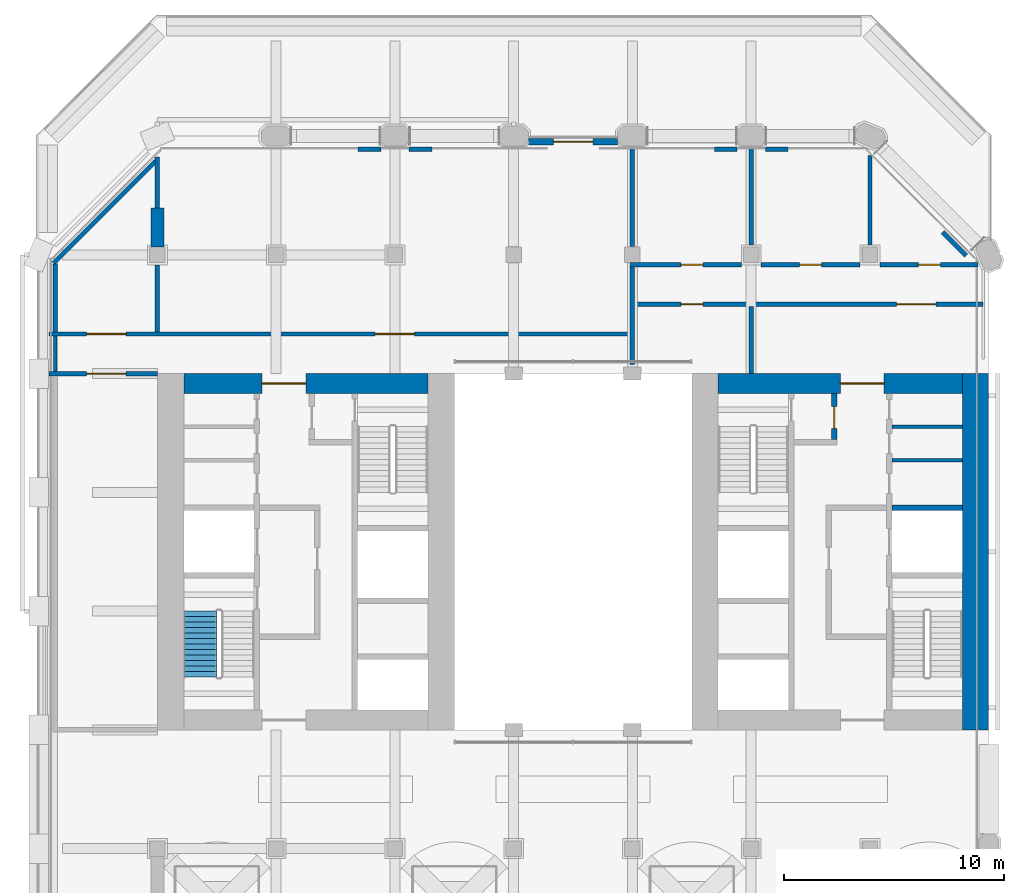
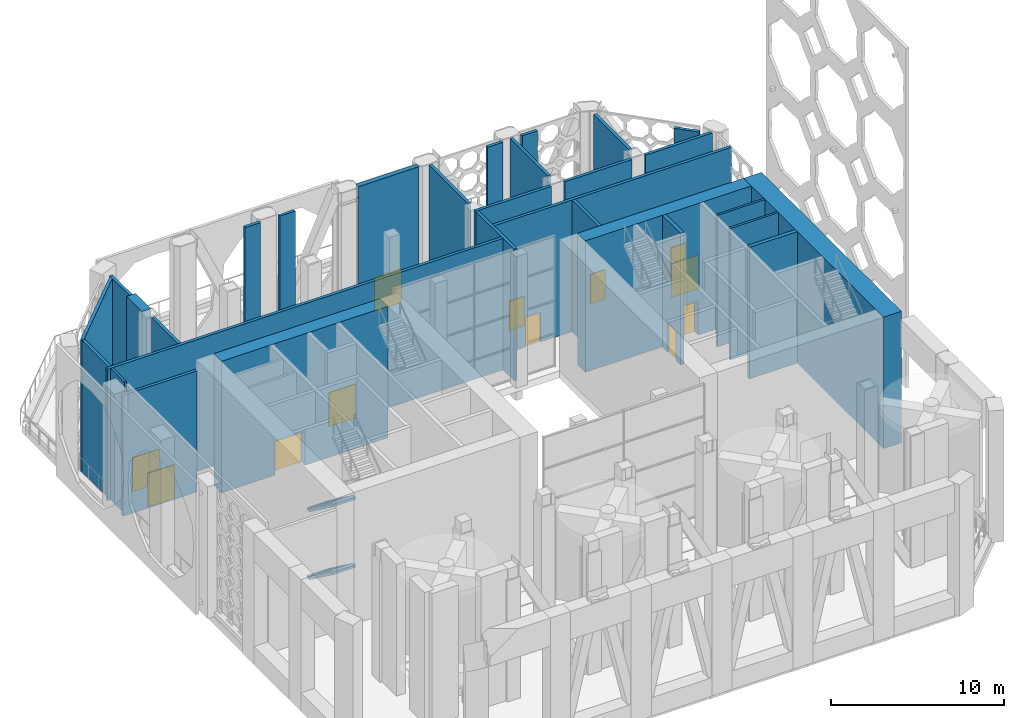
# One storey, part 11 of 28: 30 walls, 12 doors, 2 stair flights, 12 openings, 1 element without a shape of its own.
"""IFC4 building model written with IfcOpenShell, lengths in metres."""

from ifc_helpers import new_model, si_unit, direction, frame, frame_2d, origin, place, context, subcontext, project, spatial, polyline, rectangle, outline, extrude, material, layer, layer_set, type_object, element, fill, aggregate, save


model = new_model("IFC4")

# Units and contexts
model_context = context("Model", 3, precision=1e-05, world=origin(), true_north=direction((0.0, 1.0)))
body_context = subcontext(model_context, "Body", "Model", "MODEL_VIEW")
ifc_project = project(units=[si_unit("LENGTHUNIT", "METRE"), si_unit("AREAUNIT", "SQUARE_METRE"), si_unit("VOLUMEUNIT", "CUBIC_METRE"), si_unit("PLANEANGLEUNIT", "RADIAN"), si_unit("MASSUNIT", "GRAM", prefix="KILO")], contexts=[model_context])

# Site, building, storey
site_placement = place(None, origin())
site = spatial("IfcSite", under=ifc_project, at=site_placement, CompositionType="ELEMENT")
building_placement = place(site_placement, origin())
building = spatial("IfcBuilding", under=site, at=building_placement, Name="Tabaq Tower and Sports Hall", CompositionType="ELEMENT")
storey_placement = place(building_placement, frame((0.0, 0.0, 233.5)))
storey = spatial("IfcBuildingStorey", under=building, at=storey_placement, Name="L59", CompositionType="ELEMENT", Elevation=233.5)

# Walls
ifc_material_1 = material(Name="Blockwork", Category="masonry")
ifc_layer_1 = layer(ifc_material_1, 0.14990234375)
ifc_layer_set_1 = layer_set([ifc_layer_1], Name="Core room partition 150 Blockwork")
wall_type_1 = type_object("IfcWallType", Name="Core room partition 150 Blockwork", PredefinedType="PARTITIONING", material=ifc_layer_set_1)
for number, where, z_axis, x_axis, name in (
    (1, (38.800048828125, 28.455078125, 0.0), (0.0, 0.0, 1.0), (1.0, 0.0, 0.0), "Core room partition E L59"),
    (2, (38.800048828125, 29.97802734375, 0.0), (0.0, 0.0, 1.0), (1.0, 0.0, 0.0), "Core room partition E L59"),
):
    element("IfcWall", number, at=place(storey_placement, frame(where, z_axis=z_axis, x_axis=x_axis)), inside=storey, type_object=wall_type_1, Name=name, PredefinedType="PARTITIONING", context=body_context, shape_type="SweptSolid", body=[
        extrude(rectangle(XDim=3.199951171875, YDim=0.14990234375, at=frame_2d((1.60009765625, 0.0))), origin(), (0.0, 0.0, 1.0), 9.300048828125),
    ])
ifc_material_2 = material(Name="Concrete C40/50", Category="concrete")
ifc_layer_2 = layer(ifc_material_2, 1.199951171875)
ifc_layer_set_2 = layer_set([ifc_layer_2], Name="Core wall 1200 Concrete C40/50")
wall_type_2 = type_object("IfcWallType", Name="Core wall 1200 Concrete C40/50", PredefinedType="SOLIDWALL", material=ifc_layer_set_2)
wall_1_placement = place(storey_placement, frame((42.60009765625, 32.39990234375, 0.0), z_axis=(0.0, 0.0, 1.0), x_axis=(0.0, -1.0, 0.0)))
element("IfcWall", 3, at=wall_1_placement, inside=storey, type_object=wall_type_2, Name="Core wall E L59", PredefinedType="SOLIDWALL", context=body_context, shape_type="SweptSolid", body=[
    extrude(rectangle(XDim=16.199951171875, YDim=1.199951171875, at=frame_2d((8.10009765625, 0.0))), origin(), (0.0, 0.0, 1.0), 9.300048828125),
])

# Wall, opening, door
ifc_material_3 = material(Name="Concrete C40/50", Category="concrete")
ifc_layer_3 = layer(ifc_material_3, 0.89990234375)
ifc_layer_set_3 = layer_set([ifc_layer_3], Name="Core wall 900 Concrete C40/50")
wall_type_3 = type_object("IfcWallType", Name="Core wall 900 Concrete C40/50", PredefinedType="SOLIDWALL", material=ifc_layer_set_3)
wall_2_placement = place(storey_placement, frame((6.60009765625, 31.949951171875, 0.0), z_axis=(0.0, 0.0, 1.0), x_axis=(1.0, 0.0, 0.0)))
wall_2 = element("IfcWall", 4, at=wall_2_placement, inside=storey, type_object=wall_type_3, Name="Core wall W L59", PredefinedType="SOLIDWALL", context=body_context, shape_type="SweptSolid", body=[
    extrude(rectangle(XDim=11.099853515625, YDim=0.89990234375, at=frame_2d((5.5498046875, 0.0))), origin(), (0.0, 0.0, 1.0), 9.300048828125),
])
opening_1_placement = place(wall_2_placement, frame((3.550048828125, 0.0, 0.0)))
opening_1 = element("IfcOpeningElement", 5, at=opening_1_placement, cuts=wall_2, Name="Opening PD-WL59-02", PredefinedType="OPENING", context=body_context, shape_type="SweptSolid", body=[
    extrude(rectangle(XDim=2.0, YDim=2.39990234375, at=frame_2d((1.0, 1.199951171875))), frame((0.0, 0.449951171875, 0.0), z_axis=(0.0, -1.0, 0.0), x_axis=(1.0, 0.0, 0.0)), (0.0, 0.0, 1.0), 0.89990234375),
])
ifc_material_4 = material(Name="Steel fire door", Category="steel")
door_type_1 = type_object("IfcDoorType", Name="Core entrance door 2000", OperationType="DOUBLE_DOOR_SINGLE_SWING", PredefinedType="DOOR", material=ifc_material_4)
door_1_placement = place(opening_1_placement, origin())
door_1 = element("IfcDoor", 6, at=door_1_placement, inside=storey, type_object=door_type_1, Name="Core entrance north W L59", OperationType="DOUBLE_DOOR_SINGLE_SWING", OverallHeight=2.39990234375, OverallWidth=2.0, PredefinedType="DOOR", context=body_context, shape_type="SweptSolid", body=[
    extrude(rectangle(XDim=2.0, YDim=2.39990234375, at=frame_2d((1.0, 1.199951171875))), frame((0.0, 0.02490234375, 0.0), z_axis=(0.0, -1.0, 0.0), x_axis=(1.0, 0.0, 0.0)), (0.0, 0.0, 1.0), 0.050048828125),
])
fill(opening_1, door_1)

wall_3_placement = place(storey_placement, frame((30.89990234375, 31.949951171875, 0.0), z_axis=(0.0, 0.0, 1.0), x_axis=(1.0, 0.0, 0.0)))
wall_3 = element("IfcWall", 7, at=wall_3_placement, inside=storey, type_object=wall_type_3, Name="Core wall E L59", PredefinedType="SOLIDWALL", context=body_context, shape_type="SweptSolid", body=[
    extrude(rectangle(XDim=11.10009765625, YDim=0.89990234375, at=frame_2d((5.550048828125, 0.0))), origin(), (0.0, 0.0, 1.0), 9.300048828125),
])
opening_2_placement = place(wall_3_placement, frame((5.550048828125, 0.0, 0.0)))
opening_2 = element("IfcOpeningElement", 8, at=opening_2_placement, cuts=wall_3, Name="Opening PD-EL59-02", PredefinedType="OPENING", context=body_context, shape_type="SweptSolid", body=[
    extrude(rectangle(XDim=2.0, YDim=2.39990234375, at=frame_2d((1.0, 1.199951171875))), frame((0.0, 0.449951171875, 0.0), z_axis=(0.0, -1.0, 0.0), x_axis=(1.0, 0.0, 0.0)), (0.0, 0.0, 1.0), 0.89990234375),
])
door_2_placement = place(opening_2_placement, origin())
door_2 = element("IfcDoor", 9, at=door_2_placement, inside=storey, type_object=door_type_1, Name="Core entrance north E L59", OperationType="DOUBLE_DOOR_SINGLE_SWING", OverallHeight=2.39990234375, OverallWidth=2.0, PredefinedType="DOOR", context=body_context, shape_type="SweptSolid", body=[
    extrude(rectangle(XDim=2.0, YDim=2.39990234375, at=frame_2d((1.0, 1.199951171875))), frame((0.0, 0.02490234375, 0.0), z_axis=(0.0, -1.0, 0.0), x_axis=(1.0, 0.0, 0.0)), (0.0, 0.0, 1.0), 0.050048828125),
])
fill(opening_2, door_2)

ifc_material_5 = material(Name="Blockwork", Category="masonry")
ifc_layer_4 = layer(ifc_material_5, 0.199951171875)
ifc_layer_set_4 = layer_set([ifc_layer_4], Name="Fire compartment wall 200 Blockwork")
wall_type_4 = type_object("IfcWallType", Name="Fire compartment wall 200 Blockwork", PredefinedType="PARTITIONING", material=ifc_layer_set_4)
wall_4_placement = place(storey_placement, frame((42.719970703125, 37.35009765625, 0.0), z_axis=(0.0, 0.0, 1.0), x_axis=(-1.0, 0.0, 0.0)))
wall_4 = element("IfcWall", 10, at=wall_4_placement, inside=storey, type_object=wall_type_4, Name="Compartment wall L59", PredefinedType="PARTITIONING", context=body_context, shape_type="SweptSolid", body=[
    extrude(rectangle(XDim=4.46923828125, YDim=0.199951171875, at=frame_2d((2.234619140625, 0.0))), origin(), (0.0, 0.0, 1.0), 9.300048828125),
])
opening_3_placement = place(wall_4_placement, frame((1.719970703125, 0.0, 0.0)))
opening_3 = element("IfcOpeningElement", 11, at=opening_3_placement, cuts=wall_4, Name="Opening L59-001", PredefinedType="OPENING", context=body_context, shape_type="SweptSolid", body=[
    extrude(rectangle(XDim=1.0, YDim=2.10009765625, at=frame_2d((0.5, 1.050048828125))), frame((0.0, 0.10009765625, 0.0), z_axis=(0.0, -1.0, 0.0), x_axis=(1.0, 0.0, 0.0)), (0.0, 0.0, 1.0), 0.199951171875),
])
ifc_material_6 = material(Name="Steel fire door", Category="steel")
door_type_2 = type_object("IfcDoorType", Name="Plant room door 1000 left hand", OperationType="SINGLE_SWING_LEFT", PredefinedType="DOOR", material=ifc_material_6)
door_3_placement = place(opening_3_placement, origin())
door_3 = element("IfcDoor", 12, at=door_3_placement, inside=storey, type_object=door_type_2, Name="Plant room door L59-001", OperationType="SINGLE_SWING_LEFT", OverallHeight=2.10009765625, OverallWidth=1.0, PredefinedType="DOOR", context=body_context, shape_type="SweptSolid", body=[
    extrude(rectangle(XDim=1.0, YDim=2.10009765625, at=frame_2d((0.5, 1.050048828125))), frame((0.0, 0.02490234375, 0.0), z_axis=(0.0, -1.0, 0.0), x_axis=(1.0, 0.0, 0.0)), (0.0, 0.0, 1.0), 0.050048828125),
])
fill(opening_3, door_3)

# Walls
wall_5_placement = place(storey_placement, frame((37.800048828125, 38.250732421875, 0.0), z_axis=(0.0, 0.0, 1.0), x_axis=(0.0, 1.0, 0.0)))
element("IfcWall", 13, at=wall_5_placement, inside=storey, type_object=wall_type_4, Name="Compartment wall L59", PredefinedType="PARTITIONING", context=body_context, shape_type="SweptSolid", body=[
    extrude(rectangle(XDim=4.071533203125, YDim=0.199951171875, at=frame_2d((2.03564453125, 0.0))), origin(), (0.0, 0.0, 1.0), 9.300048828125),
])
wall_6_placement = place(storey_placement, frame((41.10302734375, 38.836181640625, 0.0), z_axis=(0.0, 0.0, 1.0), x_axis=(0.707187616485, -0.707025936646, 0.0)))
element("IfcWall", 14, at=wall_6_placement, inside=storey, type_object=wall_type_4, Name="Compartment wall L59", PredefinedType="PARTITIONING", context=body_context, shape_type="SweptSolid", body=[
    extrude(rectangle(XDim=1.510009765625, YDim=0.199951171875, at=frame_2d((0.7548828125, 0.0))), origin(), (0.0, 0.0, 1.0), 9.300048828125),
])

# Wall, opening, door
wall_7_placement = place(storey_placement, frame((37.349365234375, 37.35009765625, 0.0), z_axis=(0.0, 0.0, 1.0), x_axis=(-1.0, 0.0, 0.0)))
wall_7 = element("IfcWall", 15, at=wall_7_placement, inside=storey, type_object=wall_type_4, Name="Compartment wall L59", PredefinedType="PARTITIONING", context=body_context, shape_type="SweptSolid", body=[
    extrude(rectangle(XDim=4.498779296875, YDim=0.199951171875, at=frame_2d((2.24951171875, 0.0))), origin(), (0.0, 0.0, 1.0), 9.300048828125),
])
opening_4_placement = place(wall_7_placement, frame((1.74951171875, 0.0, 0.0)))
opening_4 = element("IfcOpeningElement", 16, at=opening_4_placement, cuts=wall_7, Name="Opening L59-002", PredefinedType="OPENING", context=body_context, shape_type="SweptSolid", body=[
    extrude(rectangle(XDim=1.0, YDim=2.10009765625, at=frame_2d((0.5, 1.050048828125))), frame((0.0, 0.10009765625, 0.0), z_axis=(0.0, -1.0, 0.0), x_axis=(1.0, 0.0, 0.0)), (0.0, 0.0, 1.0), 0.199951171875),
])
ifc_material_7 = material(Name="Steel fire door", Category="steel")
door_type_3 = type_object("IfcDoorType", Name="Plant room door 1000 right hand", OperationType="SINGLE_SWING_RIGHT", PredefinedType="DOOR", material=ifc_material_7)
door_4_placement = place(opening_4_placement, origin())
door_4 = element("IfcDoor", 17, at=door_4_placement, inside=storey, type_object=door_type_3, Name="Plant room door L59-002", OperationType="SINGLE_SWING_RIGHT", OverallHeight=2.10009765625, OverallWidth=1.0, PredefinedType="DOOR", context=body_context, shape_type="SweptSolid", body=[
    extrude(rectangle(XDim=1.0, YDim=2.10009765625, at=frame_2d((0.5, 1.050048828125))), frame((0.0, 0.02490234375, 0.0), z_axis=(0.0, -1.0, 0.0), x_axis=(1.0, 0.0, 0.0)), (0.0, 0.0, 1.0), 0.050048828125),
])
fill(opening_4, door_4)

# Walls
wall_8_placement = place(storey_placement, frame((32.39990234375, 38.250732421875, 0.0), z_axis=(0.0, 0.0, 1.0), x_axis=(0.0, 1.0, 0.0)))
element("IfcWall", 18, at=wall_8_placement, inside=storey, type_object=wall_type_4, Name="Compartment wall L59", PredefinedType="PARTITIONING", context=body_context, shape_type="SweptSolid", body=[
    extrude(rectangle(XDim=4.399169921875, YDim=0.199951171875, at=frame_2d((2.19970703125, 0.0))), origin(), (0.0, 0.0, 1.0), 9.300048828125),
])
wall_9_placement = place(storey_placement, frame((33.044921875, 42.60009765625, 0.0), z_axis=(0.0, 0.0, 1.0), x_axis=(1.0, 0.0, 0.0)))
element("IfcWall", 19, at=wall_9_placement, inside=storey, type_object=wall_type_4, Name="Compartment wall L59", PredefinedType="PARTITIONING", context=body_context, shape_type="SweptSolid", body=[
    extrude(rectangle(XDim=1.02490234375, YDim=0.199951171875, at=frame_2d((0.512451171875, 0.0))), origin(), (0.0, 0.0, 1.0), 9.300048828125),
])

# Wall, opening, door
wall_10_placement = place(storey_placement, frame((31.94921875, 37.35009765625, 0.0), z_axis=(0.0, 0.0, 1.0), x_axis=(-1.0, 0.0, 0.0)))
wall_10 = element("IfcWall", 20, at=wall_10_placement, inside=storey, type_object=wall_type_4, Name="Compartment wall L59", PredefinedType="PARTITIONING", context=body_context, shape_type="SweptSolid", body=[
    extrude(rectangle(XDim=5.04931640625, YDim=0.199951171875, at=frame_2d((2.524658203125, 0.0))), origin(), (0.0, 0.0, 1.0), 9.300048828125),
])
opening_5_placement = place(wall_10_placement, frame((1.749267578125, 0.0, 0.0)))
opening_5 = element("IfcOpeningElement", 21, at=opening_5_placement, cuts=wall_10, Name="Opening L59-003", PredefinedType="OPENING", context=body_context, shape_type="SweptSolid", body=[
    extrude(rectangle(XDim=1.0, YDim=2.10009765625, at=frame_2d((0.5, 1.050048828125))), frame((0.0, 0.10009765625, 0.0), z_axis=(0.0, -1.0, 0.0), x_axis=(1.0, 0.0, 0.0)), (0.0, 0.0, 1.0), 0.199951171875),
])
door_5_placement = place(opening_5_placement, origin())
door_5 = element("IfcDoor", 22, at=door_5_placement, inside=storey, type_object=door_type_2, Name="Plant room door L59-003", OperationType="SINGLE_SWING_LEFT", OverallHeight=2.10009765625, OverallWidth=1.0, PredefinedType="DOOR", context=body_context, shape_type="SweptSolid", body=[
    extrude(rectangle(XDim=1.0, YDim=2.10009765625, at=frame_2d((0.5, 1.050048828125))), frame((0.0, 0.02490234375, 0.0), z_axis=(0.0, -1.0, 0.0), x_axis=(1.0, 0.0, 0.0)), (0.0, 0.0, 1.0), 0.050048828125),
])
fill(opening_5, door_5)

# Walls
wall_11_placement = place(storey_placement, frame((27.0, 38.169921875, 0.0), z_axis=(0.0, 0.0, 1.0), x_axis=(0.0, 1.0, 0.0)))
element("IfcWall", 23, at=wall_11_placement, inside=storey, type_object=wall_type_4, Name="Compartment wall L59", PredefinedType="PARTITIONING", context=body_context, shape_type="SweptSolid", body=[
    extrude(rectangle(XDim=4.47998046875, YDim=0.199951171875, at=frame_2d((2.239990234375, 0.0))), origin(), (0.0, 0.0, 1.0), 9.300048828125),
])
wall_12_placement = place(storey_placement, frame((30.7216796875, 42.60009765625, 0.0), z_axis=(0.0, 0.0, 1.0), x_axis=(1.0, 0.0, 0.0)))
element("IfcWall", 24, at=wall_12_placement, inside=storey, type_object=wall_type_4, Name="Compartment wall L59", PredefinedType="PARTITIONING", context=body_context, shape_type="SweptSolid", body=[
    extrude(rectangle(XDim=1.033203125, YDim=0.199951171875, at=frame_2d((0.5166015625, 0.0))), origin(), (0.0, 0.0, 1.0), 9.300048828125),
])
wall_13_placement = place(storey_placement, frame((5.39990234375, 34.300048828125, 0.0), z_axis=(0.0, 0.0, 1.0), x_axis=(0.0, 1.0, 0.0)))
element("IfcWall", 25, at=wall_13_placement, inside=storey, type_object=wall_type_4, Name="Compartment wall L59", PredefinedType="PARTITIONING", context=body_context, shape_type="SweptSolid", body=[
    extrude(rectangle(XDim=3.04931640625, YDim=0.199951171875, at=frame_2d((1.524658203125, 0.0))), origin(), (0.0, 0.0, 1.0), 9.300048828125),
])
wall_14_placement = place(storey_placement, frame((5.39990234375, 39.925048828125, 0.0), z_axis=(0.0, 0.0, 1.0), x_axis=(0.0, 1.0, 0.0)))
element("IfcWall", 26, at=wall_14_placement, inside=storey, type_object=wall_type_4, Name="Compartment wall L59", PredefinedType="PARTITIONING", context=body_context, shape_type="SweptSolid", body=[
    extrude(rectangle(XDim=2.31396484375, YDim=0.199951171875, at=frame_2d((1.156982421875, 0.0))), origin(), (0.0, 0.0, 1.0), 9.300048828125),
])
for number, where, z_axis, x_axis, name in (
    (27, (14.521484375, 42.60009765625, 0.0), (0.0, 0.0, 1.0), (1.0, 0.0, 0.0), "Compartment wall L59"),
    (28, (16.844970703125, 42.60009765625, 0.0), (0.0, 0.0, 1.0), (1.0, 0.0, 0.0), "Compartment wall L59"),
):
    element("IfcWall", number, at=place(storey_placement, frame(where, z_axis=z_axis, x_axis=x_axis)), inside=storey, type_object=wall_type_4, Name=name, PredefinedType="PARTITIONING", context=body_context, shape_type="SweptSolid", body=[
        extrude(rectangle(XDim=1.033447265625, YDim=0.199951171875, at=frame_2d((0.5166015625, 0.0))), origin(), (0.0, 0.0, 1.0), 9.300048828125),
    ])
wall_15_placement = place(storey_placement, frame((32.39990234375, 32.39990234375, 0.0), z_axis=(0.0, 0.0, 1.0), x_axis=(0.0, 1.0, 0.0)))
element("IfcWall", 29, at=wall_15_placement, inside=storey, type_object=wall_type_4, Name="Compartment wall L59", PredefinedType="PARTITIONING", context=body_context, shape_type="SweptSolid", body=[
    extrude(rectangle(XDim=3.050048828125, YDim=0.199951171875, at=frame_2d((1.52490234375, 0.0))), origin(), (0.0, 0.0, 1.0), 9.300048828125),
])
wall_16_placement = place(storey_placement, frame((27.0, 37.25, 0.0), z_axis=(0.0, 0.0, 1.0), x_axis=(0.0, -1.0, 0.0)))
element("IfcWall", 30, at=wall_16_placement, inside=storey, type_object=wall_type_4, Name="Compartment wall L59", PredefinedType="PARTITIONING", context=body_context, shape_type="SweptSolid", body=[
    extrude(rectangle(XDim=4.429931640625, YDim=0.199951171875, at=frame_2d((2.21484375, 0.0))), origin(), (0.0, 0.0, 1.0), 9.300048828125),
])

# Wall, openings, doors
wall_17_placement = place(storey_placement, frame((42.949951171875, 35.550048828125, 0.0), z_axis=(0.0, 0.0, 1.0), x_axis=(-1.0, 0.0, 0.0)))
wall_17 = element("IfcWall", 31, at=wall_17_placement, inside=storey, type_object=wall_type_4, Name="Compartment wall L59", PredefinedType="PARTITIONING", context=body_context, shape_type="SweptSolid", body=[
    extrude(rectangle(XDim=15.849853515625, YDim=0.199951171875, at=frame_2d((7.9248046875, 0.0))), origin(), (0.0, 0.0, 1.0), 9.300048828125),
])
opening_6_placement = place(wall_17_placement, frame((12.75, 0.0, 0.0)))
opening_6 = element("IfcOpeningElement", 32, at=opening_6_placement, cuts=wall_17, Name="Opening L59-004", PredefinedType="OPENING", context=body_context, shape_type="SweptSolid", body=[
    extrude(rectangle(XDim=1.0, YDim=2.10009765625, at=frame_2d((0.5, 1.050048828125))), frame((0.0, 0.10009765625, 0.0), z_axis=(0.0, -1.0, 0.0), x_axis=(1.0, 0.0, 0.0)), (0.0, 0.0, 1.0), 0.199951171875),
])
opening_7_placement = place(wall_17_placement, frame((2.14990234375, 0.0, 0.0)))
opening_7 = element("IfcOpeningElement", 33, at=opening_7_placement, cuts=wall_17, Name="Opening L59-008", PredefinedType="OPENING", context=body_context, shape_type="SweptSolid", body=[
    extrude(rectangle(XDim=1.800048828125, YDim=2.39990234375, at=frame_2d((0.89990234375, 1.199951171875))), frame((0.0, 0.10009765625, 0.0), z_axis=(0.0, -1.0, 0.0), x_axis=(1.0, 0.0, 0.0)), (0.0, 0.0, 1.0), 0.199951171875),
])
door_6_placement = place(opening_6_placement, origin())
door_6 = element("IfcDoor", 34, at=door_6_placement, inside=storey, type_object=door_type_2, Name="Plant room door L59-004", OperationType="SINGLE_SWING_LEFT", OverallHeight=2.10009765625, OverallWidth=1.0, PredefinedType="DOOR", context=body_context, shape_type="SweptSolid", body=[
    extrude(rectangle(XDim=1.0, YDim=2.10009765625, at=frame_2d((0.5, 1.050048828125))), frame((0.0, 0.02490234375, 0.0), z_axis=(0.0, -1.0, 0.0), x_axis=(1.0, 0.0, 0.0)), (0.0, 0.0, 1.0), 0.050048828125),
])
fill(opening_6, door_6)
ifc_material_8 = material(Name="Steel fire door", Category="steel")
door_type_4 = type_object("IfcDoorType", Name="Plant room door 1800", OperationType="DOUBLE_DOOR_SINGLE_SWING", PredefinedType="DOOR", material=ifc_material_8)
door_7_placement = place(opening_7_placement, origin())
door_7 = element("IfcDoor", 35, at=door_7_placement, inside=storey, type_object=door_type_4, Name="Plant room door L59-008", OperationType="DOUBLE_DOOR_SINGLE_SWING", OverallHeight=2.39990234375, OverallWidth=1.800048828125, PredefinedType="DOOR", context=body_context, shape_type="SweptSolid", body=[
    extrude(rectangle(XDim=1.800048828125, YDim=2.39990234375, at=frame_2d((0.89990234375, 1.199951171875))), frame((0.0, 0.02490234375, 0.0), z_axis=(0.0, -1.0, 0.0), x_axis=(1.0, 0.0, 0.0)), (0.0, 0.0, 1.0), 0.050048828125),
])
fill(opening_7, door_7)

# Wall, opening, door
wall_18_placement = place(storey_placement, frame((0.47998046875, 32.39990234375, 0.0), z_axis=(0.0, 0.0, 1.0), x_axis=(1.0, 0.0, 0.0)))
wall_18 = element("IfcWall", 36, at=wall_18_placement, inside=storey, type_object=wall_type_4, Name="Compartment wall L59", PredefinedType="PARTITIONING", context=body_context, shape_type="SweptSolid", body=[
    extrude(rectangle(XDim=4.919921875, YDim=0.199951171875, at=frame_2d((2.4599609375, 0.0))), origin(), (0.0, 0.0, 1.0), 8.550048828125),
])
opening_8_placement = place(wall_18_placement, frame((1.695068359375, 0.0, 0.0)))
opening_8 = element("IfcOpeningElement", 37, at=opening_8_placement, cuts=wall_18, Name="Opening L59-005", PredefinedType="OPENING", context=body_context, shape_type="SweptSolid", body=[
    extrude(rectangle(XDim=1.800048828125, YDim=2.39990234375, at=frame_2d((0.89990234375, 1.199951171875))), frame((0.0, 0.10009765625, 0.0), z_axis=(0.0, -1.0, 0.0), x_axis=(1.0, 0.0, 0.0)), (0.0, 0.0, 1.0), 0.199951171875),
])
ifc_material_9 = material(Name="Steel fire door", Category="steel")
door_type_5 = type_object("IfcDoorType", Name="Refuge holding area door 1800", OperationType="DOUBLE_DOOR_SINGLE_SWING", PredefinedType="DOOR", material=ifc_material_9)
door_8_placement = place(opening_8_placement, origin())
door_8 = element("IfcDoor", 38, at=door_8_placement, inside=storey, type_object=door_type_5, Name="Refuge holding area door L59-005", OperationType="DOUBLE_DOOR_SINGLE_SWING", OverallHeight=2.39990234375, OverallWidth=1.800048828125, PredefinedType="DOOR", context=body_context, shape_type="SweptSolid", body=[
    extrude(rectangle(XDim=1.800048828125, YDim=2.39990234375, at=frame_2d((0.89990234375, 1.199951171875))), frame((0.0, 0.02490234375, 0.0), z_axis=(0.0, -1.0, 0.0), x_axis=(1.0, 0.0, 0.0)), (0.0, 0.0, 1.0), 0.050048828125),
])
fill(opening_8, door_8)

# Wall, openings, doors
wall_19_placement = place(storey_placement, frame((26.89990234375, 34.199951171875, 0.0), z_axis=(0.0, 0.0, 1.0), x_axis=(-1.0, 0.0, 0.0)))
wall_19 = element("IfcWall", 39, at=wall_19_placement, inside=storey, type_object=wall_type_4, Name="Compartment wall L59", PredefinedType="PARTITIONING", context=body_context, shape_type="SweptSolid", body=[
    extrude(rectangle(XDim=26.419921875, YDim=0.199951171875, at=frame_2d((13.2099609375, 0.0))), origin(), (0.0, 0.0, 1.0), 9.300048828125),
])
opening_9_placement = place(wall_19_placement, frame((22.925048828125, 0.0, 0.0)))
opening_9 = element("IfcOpeningElement", 40, at=opening_9_placement, cuts=wall_19, Name="Opening L59-006", PredefinedType="OPENING", context=body_context, shape_type="SweptSolid", body=[
    extrude(rectangle(XDim=1.800048828125, YDim=2.39990234375, at=frame_2d((0.89990234375, 1.199951171875))), frame((0.0, 0.10009765625, 0.0), z_axis=(0.0, -1.0, 0.0), x_axis=(1.0, 0.0, 0.0)), (0.0, 0.0, 1.0), 0.199951171875),
])
opening_10_placement = place(wall_19_placement, frame((9.800048828125, 0.0, 0.0)))
opening_10 = element("IfcOpeningElement", 41, at=opening_10_placement, cuts=wall_19, Name="Opening L59-007", PredefinedType="OPENING", context=body_context, shape_type="SweptSolid", body=[
    extrude(rectangle(XDim=1.800048828125, YDim=2.39990234375, at=frame_2d((0.89990234375, 1.199951171875))), frame((0.0, 0.10009765625, 0.0), z_axis=(0.0, -1.0, 0.0), x_axis=(1.0, 0.0, 0.0)), (0.0, 0.0, 1.0), 0.199951171875),
])
door_9_placement = place(opening_9_placement, origin())
door_9 = element("IfcDoor", 42, at=door_9_placement, inside=storey, type_object=door_type_4, Name="Plant room door L59-006", OperationType="DOUBLE_DOOR_SINGLE_SWING", OverallHeight=2.39990234375, OverallWidth=1.800048828125, PredefinedType="DOOR", context=body_context, shape_type="SweptSolid", body=[
    extrude(rectangle(XDim=1.800048828125, YDim=2.39990234375, at=frame_2d((0.89990234375, 1.199951171875))), frame((0.0, 0.02490234375, 0.0), z_axis=(0.0, -1.0, 0.0), x_axis=(1.0, 0.0, 0.0)), (0.0, 0.0, 1.0), 0.050048828125),
])
fill(opening_9, door_9)
door_10_placement = place(opening_10_placement, origin())
door_10 = element("IfcDoor", 43, at=door_10_placement, inside=storey, type_object=door_type_5, Name="Refuge holding area door L59-007", OperationType="DOUBLE_DOOR_SINGLE_SWING", OverallHeight=2.39990234375, OverallWidth=1.800048828125, PredefinedType="DOOR", context=body_context, shape_type="SweptSolid", body=[
    extrude(rectangle(XDim=1.800048828125, YDim=2.39990234375, at=frame_2d((0.89990234375, 1.199951171875))), frame((0.0, 0.02490234375, 0.0), z_axis=(0.0, -1.0, 0.0), x_axis=(1.0, 0.0, 0.0)), (0.0, 0.0, 1.0), 0.050048828125),
])
fill(opening_10, door_10)

# Walls
wall_20_placement = place(storey_placement, frame((5.329345703125, 42.068359375, 0.0), z_axis=(0.0, 0.0, 1.0), x_axis=(-0.707106781187, -0.707106781187, 0.0)))
element("IfcWall", 44, at=wall_20_placement, inside=storey, type_object=wall_type_4, Name="Compartment wall L59", PredefinedType="PARTITIONING", context=body_context, shape_type="SweptSolid", body=[
    extrude(rectangle(XDim=6.576416015625, YDim=0.199951171875, at=frame_2d((3.2880859375, 0.0))), origin(), (0.0, 0.0, 1.0), 9.300048828125),
])
wall_21_placement = place(storey_placement, frame((0.75, 37.388916015625, 0.0), z_axis=(0.0, 0.0, 1.0), x_axis=(0.0, -1.0, 0.0)))
element("IfcWall", 45, at=wall_21_placement, inside=storey, type_object=wall_type_4, Name="Compartment wall L59", PredefinedType="PARTITIONING", context=body_context, shape_type="SweptSolid", body=[
    extrude(rectangle(XDim=3.0888671875, YDim=0.199951171875, at=frame_2d((1.54443359375, 0.0))), origin(), (0.0, 0.0, 1.0), 9.300048828125),
])
ifc_material_10 = material(Name="Concrete C40/50", Category="concrete")
ifc_layer_5 = layer(ifc_material_10, 0.60009765625)
ifc_layer_set_5 = layer_set([ifc_layer_5], Name="RC TRANSFER WALL 600 C40/50")
wall_type_5 = type_object("IfcWallType", Name="RC TRANSFER WALL 600 C40/50", PredefinedType="SHEAR", material=ifc_layer_set_5)
wall_22_placement = place(storey_placement, frame((5.39990234375, 38.14990234375, 0.0), z_axis=(0.0, 0.0, 1.0), x_axis=(0.0, 1.0, 0.0)))
element("IfcWall", 46, at=wall_22_placement, inside=storey, type_object=wall_type_5, Name="Transfer Wall L59 West 3", PredefinedType="SHEAR", context=body_context, shape_type="SweptSolid", body=[
    extrude(rectangle(XDim=1.775146484375, YDim=0.60009765625, at=frame_2d((0.8876953125, 0.0))), origin(), (0.0, 0.0, 1.0), 9.300048828125),
])
ifc_material_11 = material(Name="Blockwork", Category="masonry")
ifc_layer_6 = layer(ifc_material_11, 0.14990234375)
ifc_layer_set_6 = layer_set([ifc_layer_6], Name="Separating wall 150 Blockwork")
wall_type_6 = type_object("IfcWallType", Name="Separating wall 150 Blockwork", PredefinedType="PARTITIONING", material=ifc_layer_set_6)
wall_23_placement = place(storey_placement, frame((0.75, 34.10009765625, 0.0), z_axis=(0.0, 0.0, 1.0), x_axis=(0.0, -1.0, 0.0)))
element("IfcWall", 47, at=wall_23_placement, inside=storey, type_object=wall_type_6, Name="Separating wall L59", PredefinedType="PARTITIONING", context=body_context, shape_type="SweptSolid", body=[
    extrude(rectangle(XDim=1.60009765625, YDim=0.14990234375, at=frame_2d((0.800048828125, 0.0))), origin(), (0.0, 0.0, 1.0), 9.300048828125),
])
ifc_material_12 = material(Name="Concrete C40/50", Category="concrete")
ifc_layer_7 = layer(ifc_material_12, 0.25)
ifc_layer_set_7 = layer_set([ifc_layer_7], Name="Shaft and stair wall 250 Concrete C40/50")
wall_type_7 = type_object("IfcWallType", Name="Shaft and stair wall 250 Concrete C40/50", PredefinedType="SOLIDWALL", material=ifc_layer_set_7)
wall_24_placement = place(storey_placement, frame((38.800048828125, 26.300048828125, 0.0), z_axis=(0.0, 0.0, 1.0), x_axis=(1.0, 0.0, 0.0)))
element("IfcWall", 48, at=wall_24_placement, inside=storey, type_object=wall_type_7, Name="Shaft wall E L59", PredefinedType="SOLIDWALL", context=body_context, shape_type="SweptSolid", body=[
    extrude(rectangle(XDim=3.199951171875, YDim=0.25, at=frame_2d((1.60009765625, 0.0))), origin(), (0.0, 0.0, 1.0), 9.300048828125),
])

# Wall, opening, door
wall_25_placement = place(storey_placement, frame((36.175048828125, 29.39990234375, 0.0), z_axis=(0.0, 0.0, 1.0), x_axis=(0.0, 1.0, 0.0)))
wall_25 = element("IfcWall", 49, at=wall_25_placement, inside=storey, type_object=wall_type_7, Name="Fire-fighting lobby wall E L59", PredefinedType="SOLIDWALL", context=body_context, shape_type="SweptSolid", body=[
    extrude(rectangle(XDim=2.10009765625, YDim=0.25, at=frame_2d((1.050048828125, 0.0))), origin(), (0.0, 0.0, 1.0), 9.300048828125),
])
opening_11_placement = place(wall_25_placement, frame((0.5, 0.0, 0.0)))
opening_11 = element("IfcOpeningElement", 50, at=opening_11_placement, cuts=wall_25, Name="Opening FD-EL59-06", PredefinedType="OPENING", context=body_context, shape_type="SweptSolid", body=[
    extrude(rectangle(XDim=1.0, YDim=2.10009765625, at=frame_2d((0.5, 1.050048828125))), frame((0.0, 0.125, 0.0), z_axis=(0.0, -1.0, 0.0), x_axis=(1.0, 0.0, 0.0)), (0.0, 0.0, 1.0), 0.25),
])
ifc_material_13 = material(Name="Steel fire door", Category="steel")
door_type_6 = type_object("IfcDoorType", Name="Fire-fighting lobby door 1000", OperationType="SINGLE_SWING_LEFT", PredefinedType="DOOR", material=ifc_material_13)
door_11_placement = place(opening_11_placement, origin())
door_11 = element("IfcDoor", 51, at=door_11_placement, inside=storey, type_object=door_type_6, Name="Stair lobby door E L59", OperationType="SINGLE_SWING_LEFT", OverallHeight=2.10009765625, OverallWidth=1.0, PredefinedType="DOOR", context=body_context, shape_type="SweptSolid", body=[
    extrude(rectangle(XDim=1.0, YDim=2.10009765625, at=frame_2d((0.5, 1.050048828125))), frame((0.0, 0.02490234375, 0.0), z_axis=(0.0, -1.0, 0.0), x_axis=(1.0, 0.0, 0.0)), (0.0, 0.0, 1.0), 0.050048828125),
])
fill(opening_11, door_11)

ifc_material_14 = material(Name="White precast concrete C60/75", Category="concrete")
ifc_layer_8 = layer(ifc_material_14, 0.300048828125)
ifc_layer_set_8 = layer_set([ifc_layer_8], Name="White precast concrete C60/75 external wall 300")
wall_type_8 = type_object("IfcWallType", Name="White precast concrete C60/75 external wall 300", PredefinedType="SOLIDWALL", material=ifc_layer_set_8)
wall_26_placement = place(storey_placement, frame((26.324951171875, 42.949951171875, 0.0), z_axis=(0.0, 0.0, 1.0), x_axis=(-1.0, 0.0, 0.0)))
wall_26 = element("IfcWall", 52, at=wall_26_placement, inside=storey, type_object=wall_type_8, Name="External Wall L59 N", PredefinedType="SOLIDWALL", context=body_context, shape_type="SweptSolid", body=[
    extrude(rectangle(XDim=4.050048828125, YDim=0.300048828125, at=frame_2d((2.02490234375, 0.0))), origin(), (0.0, 0.0, 1.0), 9.300048828125),
])
opening_12_placement = place(wall_26_placement, frame((1.125, 0.0, 0.0)))
opening_12 = element("IfcOpeningElement", 53, at=opening_12_placement, cuts=wall_26, Name="Opening TD5901", PredefinedType="OPENING", context=body_context, shape_type="SweptSolid", body=[
    extrude(rectangle(XDim=1.800048828125, YDim=2.39990234375, at=frame_2d((0.89990234375, 1.199951171875))), frame((0.0, 0.16015625, 0.0), z_axis=(0.0, -1.0, 0.0), x_axis=(1.0, 0.0, 0.0)), (0.0, 0.0, 1.0), 0.320068359375),
])
ifc_material_15 = material(Name="Aluminium framed clear glazing", Category="aluminium")
door_type_7 = type_object("IfcDoorType", Name="Terrace door TD1", OperationType="DOUBLE_DOOR_DOUBLE_SWING", PredefinedType="DOOR", material=ifc_material_15)
door_12_placement = place(opening_12_placement, origin())
door_12 = element("IfcDoor", 54, at=door_12_placement, inside=storey, type_object=door_type_7, Name="Terrace door TD5901", OperationType="DOUBLE_DOOR_DOUBLE_SWING", OverallHeight=2.39990234375, OverallWidth=1.800048828125, PredefinedType="DOOR", context=body_context, shape_type="SweptSolid", body=[
    extrude(rectangle(XDim=1.800048828125, YDim=2.39990234375, at=frame_2d((0.89990234375, 1.199951171875))), frame((0.0, 0.02490234375, 0.0), z_axis=(0.0, -1.0, 0.0), x_axis=(1.0, 0.0, 0.0)), (0.0, 0.0, 1.0), 0.050048828125),
])
fill(opening_12, door_12)

# Stair, stair flights
ifc_material_16 = material(Name="Concrete C40/50", Category="concrete")
stair_type = type_object("IfcStairType", Name="Exit stair", PredefinedType="HALF_TURN_STAIR", material=ifc_material_16)
stair_placement = place(storey_placement, origin())
stair = element("IfcStair", 55, at=stair_placement, inside=storey, type_object=stair_type, Name="L59 Exit stair ST1", PredefinedType="HALF_TURN_STAIR")
ifc_material_17 = material(Name="Concrete C40/50", Category="concrete")
stair_flight_type = type_object("IfcStairFlightType", Name="Exit stair flight", PredefinedType="STRAIGHT", material=ifc_material_17)
stair_flight_1_placement = place(storey_placement, frame((7.35009765625, 21.60009765625, 0.0), z_axis=(0.0, 0.0, 1.0), x_axis=(0.0, -1.0, 0.0)))
stair_flight_1 = element("IfcStairFlight", 56, at=stair_flight_1_placement, type_object=stair_flight_type, Name="ST1 flight 1", NumberOfRisers=13, NumberOfTreads=12, PredefinedType="STRAIGHT", RiserHeight=0.184615385, TreadLength=0.25, context=body_context, shape_type="SweptSolid", body=[
    extrude(outline(polyline([(0.0, 0.0), (0.0, 0.1845703125), (0.25, 0.1845703125), (0.25, 0.369140625), (0.5, 0.369140625), (0.5, 0.553955078125), (0.75, 0.553955078125), (0.75, 0.738525390625), (1.0, 0.738525390625), (1.0, 0.923095703125), (1.25, 0.923095703125), (1.25, 1.107666015625), (1.5, 1.107666015625), (1.5, 1.292236328125), (1.75, 1.292236328125), (1.75, 1.476806640625), (2.0, 1.476806640625), (2.0, 1.66162109375), (2.25, 1.66162109375), (2.25, 1.84619140625), (2.5, 1.84619140625), (2.5, 2.03076171875), (2.75, 2.03076171875), (2.75, 2.21533203125), (3.0, 2.21533203125), (3.0, 2.39990234375), (3.0, 2.029052734375), (0.25244140625, 0.0), (0.0, 0.0)])), frame((0.0, 0.75, 0.0), z_axis=(0.0, -1.0, 0.0), x_axis=(1.0, 0.0, 0.0)), (0.0, 0.0, 1.0), 1.5),
])
stair_flight_2_placement = place(storey_placement, frame((7.35009765625, 21.60009765625, 4.800048828125), z_axis=(0.0, 0.0, 1.0), x_axis=(0.0, -1.0, 0.0)))
stair_flight_2 = element("IfcStairFlight", 57, at=stair_flight_2_placement, type_object=stair_flight_type, Name="ST1 flight 3", NumberOfRisers=13, NumberOfTreads=12, PredefinedType="STRAIGHT", RiserHeight=0.184615385, TreadLength=0.25, context=body_context, shape_type="SweptSolid", body=[
    extrude(outline(polyline([(0.0, 0.0), (0.0, 0.1845703125), (0.25, 0.1845703125), (0.25, 0.369140625), (0.5, 0.369140625), (0.5, 0.553955078125), (0.75, 0.553955078125), (0.75, 0.738525390625), (1.0, 0.738525390625), (1.0, 0.923095703125), (1.25, 0.923095703125), (1.25, 1.107666015625), (1.5, 1.107666015625), (1.5, 1.292236328125), (1.75, 1.292236328125), (1.75, 1.476806640625), (2.0, 1.476806640625), (2.0, 1.66162109375), (2.25, 1.66162109375), (2.25, 1.84619140625), (2.5, 1.84619140625), (2.5, 2.03076171875), (2.75, 2.03076171875), (2.75, 2.21533203125), (3.0, 2.21533203125), (3.0, 2.39990234375), (3.0, 2.029052734375), (0.25244140625, 0.0), (0.0, 0.0)])), frame((0.0, 0.75, 0.0), z_axis=(0.0, -1.0, 0.0), x_axis=(1.0, 0.0, 0.0)), (0.0, 0.0, 1.0), 1.5),
])
aggregate(stair, [stair_flight_1, stair_flight_2])

save(model, "model.ifc")
